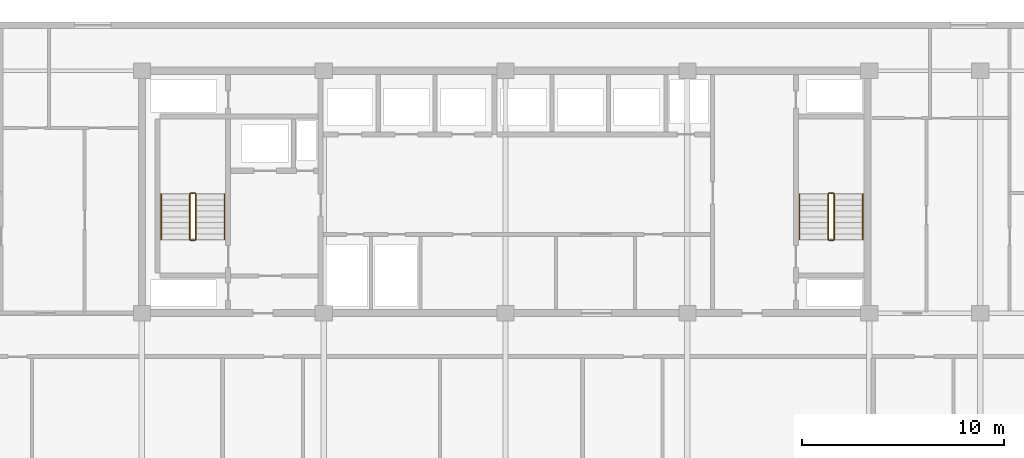
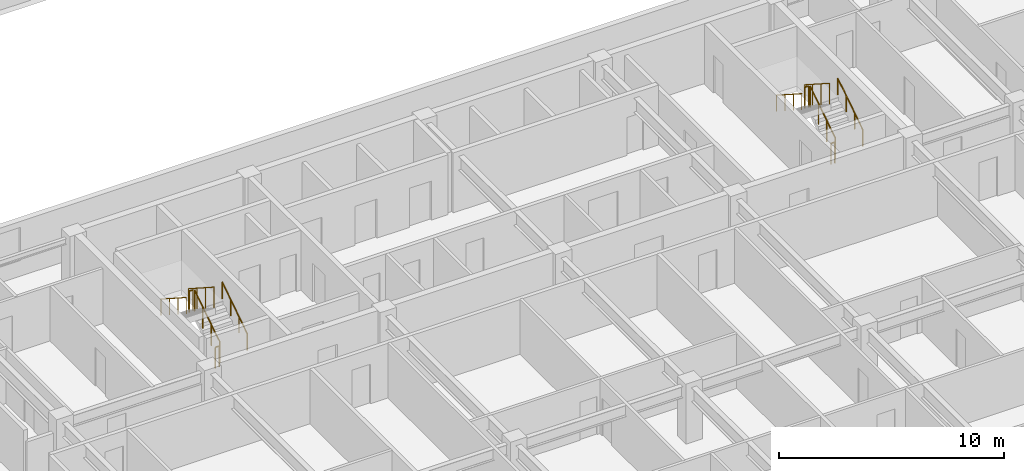
# One storey, part 19 of 22: 12 railings.
"""IFC4 building model written with IfcOpenShell, lengths in metres."""

from ifc_helpers import new_model, si_unit, direction, frame, origin, origin_2d, place, context, subcontext, project, spatial, circle, extrude, material, type_object, element, save


model = new_model("IFC4")

# Units and contexts
model_context = context("Model", 3, precision=1e-05, world=origin(), true_north=direction((0.0, 1.0)))
body_context = subcontext(model_context, "Body", "Model", "MODEL_VIEW")
ifc_project = project(units=[si_unit("LENGTHUNIT", "METRE"), si_unit("AREAUNIT", "SQUARE_METRE"), si_unit("VOLUMEUNIT", "CUBIC_METRE"), si_unit("PLANEANGLEUNIT", "RADIAN"), si_unit("MASSUNIT", "GRAM", prefix="KILO")], contexts=[model_context])

# Site, building, storey
site_placement = place(None, origin())
site = spatial("IfcSite", under=ifc_project, at=site_placement, CompositionType="ELEMENT")
building_placement = place(site_placement, origin())
building = spatial("IfcBuilding", under=site, at=building_placement, Name="Korimba Cascade Residences", CompositionType="ELEMENT")
storey_placement = place(building_placement, frame((0.0, 0.0, 84.050048828125)))
storey = spatial("IfcBuildingStorey", under=building, at=storey_placement, Name="L23", CompositionType="ELEMENT", Elevation=84.050048828125)

# Railings
ifc_material_1 = material(Name="Painted Steel Stairwell Guardrail", Category="steel")
railing_type_1 = type_object("IfcRailingType", Name="RLG-ST-GD1150", PredefinedType="GUARDRAIL", material=ifc_material_1)
railing_1_placement = place(storey_placement, frame((84.77001953125, 22.050048828125, 0.180419921875)))
element("IfcRailing", 1, at=railing_1_placement, inside=storey, type_object=railing_type_1, Name="L23 ST-E1 stair guard 1", PredefinedType="GUARDRAIL", context=body_context, shape_type="SweptSolid", body=[
    extrude(circle(Radius=0.02392578125, at=origin_2d()), frame((0.0, 0.0, 1.1259765625), z_axis=(0.0, 0.840394893359, 0.541974559565), x_axis=(-1.0, 0.0, 0.0)), (0.0, 0.0, 1.0), 2.665283203125),
    extrude(circle(Radius=0.02099609375, at=origin_2d()), origin(), (0.0, 0.0, 1.0), 1.101806640625),
    extrude(circle(Radius=0.02099609375, at=origin_2d()), frame((0.0, 0.74658203125, 0.4814453125)), (0.0, 0.0, 1.0), 1.101806640625),
    extrude(circle(Radius=0.02099609375, at=origin_2d()), frame((0.0, 1.493408203125, 0.963134765625)), (0.0, 0.0, 1.0), 1.101806640625),
    extrude(circle(Radius=0.02099609375, at=origin_2d()), frame((0.0, 2.239990234375, 1.444580078125)), (0.0, 0.0, 1.0), 1.101806640625),
])
railing_2_placement = place(storey_placement, frame((84.719970703125, 24.340087890625, 1.625)))
element("IfcRailing", 2, at=railing_2_placement, inside=storey, type_object=railing_type_1, Name="L23 ST-E1 stair guard 2", PredefinedType="GUARDRAIL", context=body_context, shape_type="SweptSolid", body=[
    extrude(circle(Radius=0.02392578125, at=origin_2d()), frame((0.0, 0.0, 1.1259765625), z_axis=(-1.0, 0.0, 0.0), x_axis=(0.0, -1.0, 0.0)), (0.0, 0.0, 1.0), 0.199951171875),
    extrude(circle(Radius=0.02099609375, at=origin_2d()), origin(), (0.0, 0.0, 1.0), 1.101806640625),
    extrude(circle(Radius=0.02099609375, at=origin_2d()), frame((-0.199951171875, 0.0, 0.0)), (0.0, 0.0, 1.0), 1.101806640625),
])
railing_3_placement = place(storey_placement, frame((84.469970703125, 24.2900390625, 1.805419921875)))
element("IfcRailing", 3, at=railing_3_placement, inside=storey, type_object=railing_type_1, Name="L23 ST-E1 stair guard 3", PredefinedType="GUARDRAIL", context=body_context, shape_type="SweptSolid", body=[
    extrude(circle(Radius=0.02392578125, at=origin_2d()), frame((0.0, 0.0, 1.1259765625), z_axis=(0.0, -0.840394893359, 0.541974559565), x_axis=(1.0, 0.0, 0.0)), (0.0, 0.0, 1.0), 2.665283203125),
    extrude(circle(Radius=0.02099609375, at=origin_2d()), origin(), (0.0, 0.0, 1.0), 1.101806640625),
    extrude(circle(Radius=0.02099609375, at=origin_2d()), frame((0.0, -0.74658203125, 0.4814453125)), (0.0, 0.0, 1.0), 1.101806640625),
    extrude(circle(Radius=0.02099609375, at=origin_2d()), frame((0.0, -1.493408203125, 0.963134765625)), (0.0, 0.0, 1.0), 1.101806640625),
    extrude(circle(Radius=0.02099609375, at=origin_2d()), frame((0.0, -2.239990234375, 1.444580078125)), (0.0, 0.0, 1.0), 1.101806640625),
])
railing_4_placement = place(storey_placement, frame((84.719970703125, 22.0, 0.0)))
element("IfcRailing", 4, at=railing_4_placement, inside=storey, type_object=railing_type_1, Name="L23 ST-E1 stair guard 4", PredefinedType="GUARDRAIL", context=body_context, shape_type="SweptSolid", body=[
    extrude(circle(Radius=0.02392578125, at=origin_2d()), frame((0.0, 0.0, 1.1259765625), z_axis=(-1.0, 0.0, 0.0), x_axis=(0.0, -1.0, 0.0)), (0.0, 0.0, 1.0), 0.199951171875),
    extrude(circle(Radius=0.02099609375, at=origin_2d()), origin(), (0.0, 0.0, 1.0), 1.101806640625),
    extrude(circle(Radius=0.02099609375, at=origin_2d()), frame((-0.199951171875, 0.0, 0.0)), (0.0, 0.0, 1.0), 1.101806640625),
])
railing_5_placement = place(storey_placement, frame((116.3701171875, 22.050048828125, 0.180419921875)))
element("IfcRailing", 5, at=railing_5_placement, inside=storey, type_object=railing_type_1, Name="L23 ST-E2 stair guard 1", PredefinedType="GUARDRAIL", context=body_context, shape_type="SweptSolid", body=[
    extrude(circle(Radius=0.02392578125, at=origin_2d()), frame((0.0, 0.0, 1.1259765625), z_axis=(0.0, 0.840394893359, 0.541974559565), x_axis=(-1.0, 0.0, 0.0)), (0.0, 0.0, 1.0), 2.665283203125),
    extrude(circle(Radius=0.02099609375, at=origin_2d()), origin(), (0.0, 0.0, 1.0), 1.101806640625),
    extrude(circle(Radius=0.02099609375, at=origin_2d()), frame((0.0, 0.74658203125, 0.4814453125)), (0.0, 0.0, 1.0), 1.101806640625),
    extrude(circle(Radius=0.02099609375, at=origin_2d()), frame((0.0, 1.493408203125, 0.963134765625)), (0.0, 0.0, 1.0), 1.101806640625),
    extrude(circle(Radius=0.02099609375, at=origin_2d()), frame((0.0, 2.239990234375, 1.444580078125)), (0.0, 0.0, 1.0), 1.101806640625),
])
railing_6_placement = place(storey_placement, frame((116.320068359375, 24.340087890625, 1.625)))
element("IfcRailing", 6, at=railing_6_placement, inside=storey, type_object=railing_type_1, Name="L23 ST-E2 stair guard 2", PredefinedType="GUARDRAIL", context=body_context, shape_type="SweptSolid", body=[
    extrude(circle(Radius=0.02392578125, at=origin_2d()), frame((0.0, 0.0, 1.1259765625), z_axis=(-1.0, 0.0, 0.0), x_axis=(0.0, -1.0, 0.0)), (0.0, 0.0, 1.0), 0.199951171875),
    extrude(circle(Radius=0.02099609375, at=origin_2d()), origin(), (0.0, 0.0, 1.0), 1.101806640625),
    extrude(circle(Radius=0.02099609375, at=origin_2d()), frame((-0.199951171875, 0.0, 0.0)), (0.0, 0.0, 1.0), 1.101806640625),
])
railing_7_placement = place(storey_placement, frame((116.070068359375, 24.2900390625, 1.805419921875)))
element("IfcRailing", 7, at=railing_7_placement, inside=storey, type_object=railing_type_1, Name="L23 ST-E2 stair guard 3", PredefinedType="GUARDRAIL", context=body_context, shape_type="SweptSolid", body=[
    extrude(circle(Radius=0.02392578125, at=origin_2d()), frame((0.0, 0.0, 1.1259765625), z_axis=(0.0, -0.840394893359, 0.541974559565), x_axis=(1.0, 0.0, 0.0)), (0.0, 0.0, 1.0), 2.665283203125),
    extrude(circle(Radius=0.02099609375, at=origin_2d()), origin(), (0.0, 0.0, 1.0), 1.101806640625),
    extrude(circle(Radius=0.02099609375, at=origin_2d()), frame((0.0, -0.74658203125, 0.4814453125)), (0.0, 0.0, 1.0), 1.101806640625),
    extrude(circle(Radius=0.02099609375, at=origin_2d()), frame((0.0, -1.493408203125, 0.963134765625)), (0.0, 0.0, 1.0), 1.101806640625),
    extrude(circle(Radius=0.02099609375, at=origin_2d()), frame((0.0, -2.239990234375, 1.444580078125)), (0.0, 0.0, 1.0), 1.101806640625),
])
railing_8_placement = place(storey_placement, frame((116.320068359375, 22.0, 0.0)))
element("IfcRailing", 8, at=railing_8_placement, inside=storey, type_object=railing_type_1, Name="L23 ST-E2 stair guard 4", PredefinedType="GUARDRAIL", context=body_context, shape_type="SweptSolid", body=[
    extrude(circle(Radius=0.02392578125, at=origin_2d()), frame((0.0, 0.0, 1.1259765625), z_axis=(-1.0, 0.0, 0.0), x_axis=(0.0, -1.0, 0.0)), (0.0, 0.0, 1.0), 0.199951171875),
    extrude(circle(Radius=0.02099609375, at=origin_2d()), origin(), (0.0, 0.0, 1.0), 1.101806640625),
    extrude(circle(Radius=0.02099609375, at=origin_2d()), frame((-0.199951171875, 0.0, 0.0)), (0.0, 0.0, 1.0), 1.101806640625),
])
ifc_material_2 = material(Name="Brushed Stainless Steel Handrail", Category="steel")
railing_type_2 = type_object("IfcRailingType", Name="RLG-ST-HR900", PredefinedType="HANDRAIL", material=ifc_material_2)
railing_9_placement = place(storey_placement, frame((86.18994140625, 22.050048828125, 0.364990234375)))
element("IfcRailing", 9, at=railing_9_placement, inside=storey, type_object=railing_type_2, Name="L23 ST-E1 stair handrail 1", PredefinedType="HANDRAIL", context=body_context, shape_type="SweptSolid", body=[
    extrude(circle(Radius=0.02392578125, at=origin_2d()), frame((0.0, 0.0, 0.8759765625), z_axis=(0.0, 0.840436612492, 0.541909863706), x_axis=(-1.0, 0.0, 0.0)), (0.0, 0.0, 1.0), 2.665283203125),
    extrude(circle(Radius=0.02099609375, at=origin_2d()), origin(), (0.0, 0.0, 1.0), 0.851806640625),
    extrude(circle(Radius=0.02099609375, at=origin_2d()), frame((0.0, 0.74658203125, 0.4814453125)), (0.0, 0.0, 1.0), 0.851806640625),
    extrude(circle(Radius=0.02099609375, at=origin_2d()), frame((0.0, 1.493408203125, 0.962890625)), (0.0, 0.0, 1.0), 0.851806640625),
    extrude(circle(Radius=0.02099609375, at=origin_2d()), frame((0.0, 2.239990234375, 1.4443359375)), (0.0, 0.0, 1.0), 0.851806640625),
])
railing_10_placement = place(storey_placement, frame((83.050048828125, 24.2900390625, 1.989990234375)))
element("IfcRailing", 10, at=railing_10_placement, inside=storey, type_object=railing_type_2, Name="L23 ST-E1 stair handrail 2", PredefinedType="HANDRAIL", context=body_context, shape_type="SweptSolid", body=[
    extrude(circle(Radius=0.02392578125, at=origin_2d()), frame((0.0, 0.0, 0.8759765625), z_axis=(0.0, -0.840436612492, 0.541909863706), x_axis=(1.0, 0.0, 0.0)), (0.0, 0.0, 1.0), 2.665283203125),
    extrude(circle(Radius=0.02099609375, at=origin_2d()), origin(), (0.0, 0.0, 1.0), 0.851806640625),
    extrude(circle(Radius=0.02099609375, at=origin_2d()), frame((0.0, -0.74658203125, 0.4814453125)), (0.0, 0.0, 1.0), 0.851806640625),
    extrude(circle(Radius=0.02099609375, at=origin_2d()), frame((0.0, -1.493408203125, 0.962890625)), (0.0, 0.0, 1.0), 0.851806640625),
    extrude(circle(Radius=0.02099609375, at=origin_2d()), frame((0.0, -2.239990234375, 1.4443359375)), (0.0, 0.0, 1.0), 0.851806640625),
])
railing_11_placement = place(storey_placement, frame((117.7900390625, 22.050048828125, 0.364990234375)))
element("IfcRailing", 11, at=railing_11_placement, inside=storey, type_object=railing_type_2, Name="L23 ST-E2 stair handrail 1", PredefinedType="HANDRAIL", context=body_context, shape_type="SweptSolid", body=[
    extrude(circle(Radius=0.02392578125, at=origin_2d()), frame((0.0, 0.0, 0.8759765625), z_axis=(0.0, 0.840436612492, 0.541909863706), x_axis=(-1.0, 0.0, 0.0)), (0.0, 0.0, 1.0), 2.665283203125),
    extrude(circle(Radius=0.02099609375, at=origin_2d()), origin(), (0.0, 0.0, 1.0), 0.851806640625),
    extrude(circle(Radius=0.02099609375, at=origin_2d()), frame((0.0, 0.74658203125, 0.4814453125)), (0.0, 0.0, 1.0), 0.851806640625),
    extrude(circle(Radius=0.02099609375, at=origin_2d()), frame((0.0, 1.493408203125, 0.962890625)), (0.0, 0.0, 1.0), 0.851806640625),
    extrude(circle(Radius=0.02099609375, at=origin_2d()), frame((0.0, 2.239990234375, 1.4443359375)), (0.0, 0.0, 1.0), 0.851806640625),
])
railing_12_placement = place(storey_placement, frame((114.64990234375, 24.2900390625, 1.989990234375)))
element("IfcRailing", 12, at=railing_12_placement, inside=storey, type_object=railing_type_2, Name="L23 ST-E2 stair handrail 2", PredefinedType="HANDRAIL", context=body_context, shape_type="SweptSolid", body=[
    extrude(circle(Radius=0.02392578125, at=origin_2d()), frame((0.0, 0.0, 0.8759765625), z_axis=(0.0, -0.840436612492, 0.541909863706), x_axis=(1.0, 0.0, 0.0)), (0.0, 0.0, 1.0), 2.665283203125),
    extrude(circle(Radius=0.02099609375, at=origin_2d()), origin(), (0.0, 0.0, 1.0), 0.851806640625),
    extrude(circle(Radius=0.02099609375, at=origin_2d()), frame((0.0, -0.74658203125, 0.4814453125)), (0.0, 0.0, 1.0), 0.851806640625),
    extrude(circle(Radius=0.02099609375, at=origin_2d()), frame((0.0, -1.493408203125, 0.962890625)), (0.0, 0.0, 1.0), 0.851806640625),
    extrude(circle(Radius=0.02099609375, at=origin_2d()), frame((0.0, -2.239990234375, 1.4443359375)), (0.0, 0.0, 1.0), 0.851806640625),
])

save(model, "model.ifc")
